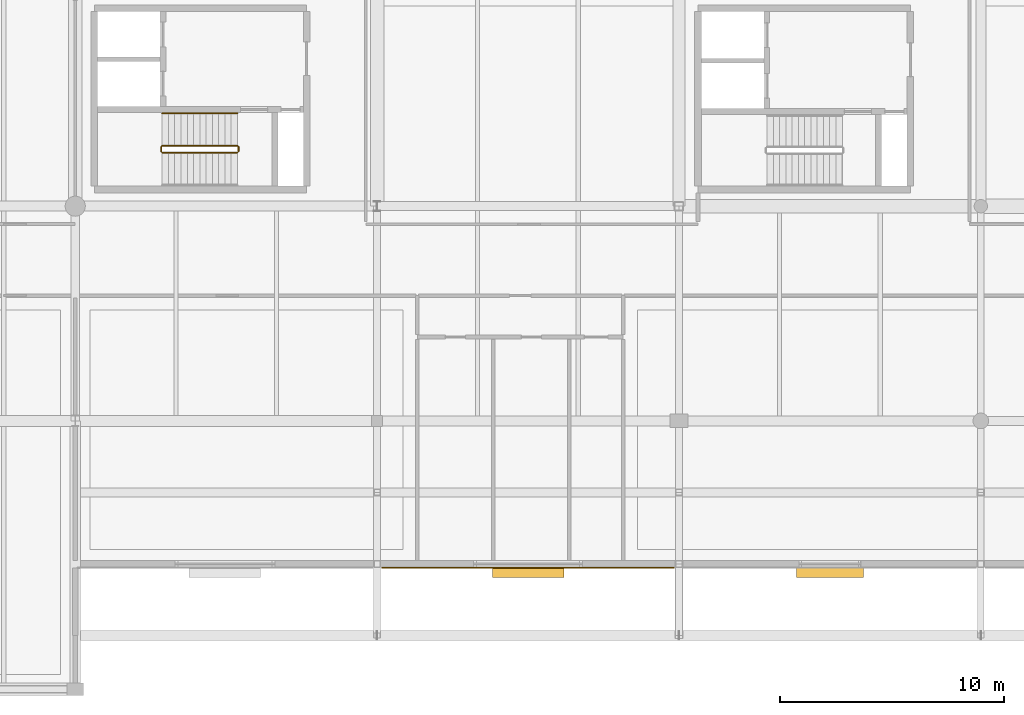
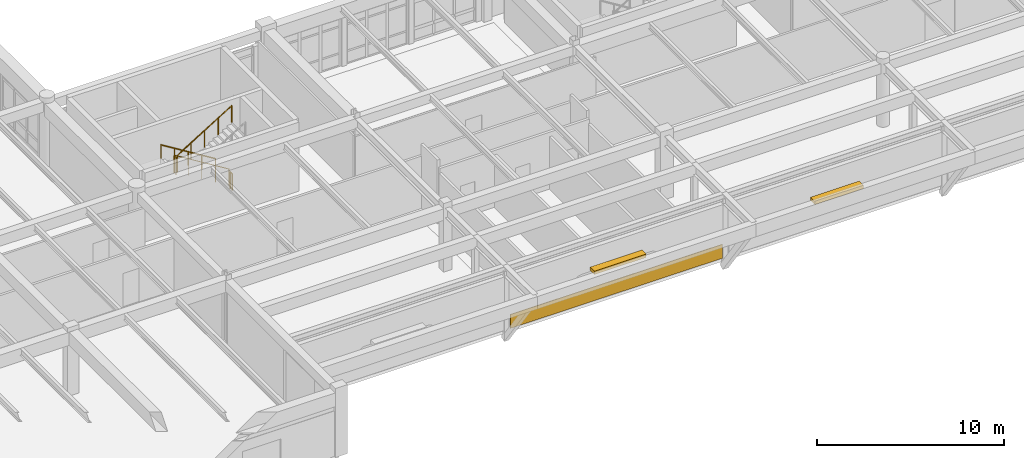
# One storey, part 72 of 80: 5 railings, 2 shading devices, 1 covering.
"""IFC4 building model written with IfcOpenShell, lengths in metres."""

from ifc_helpers import new_model, si_unit, direction, frame, origin, origin_2d, place, context, subcontext, project, spatial, rectangle, circle, extrude, material, layer, layer_set, type_object, element, save


model = new_model("IFC4")

# Units and contexts
model_context = context("Model", 3, precision=1e-05, world=origin(), true_north=direction((0.0, 1.0)))
body_context = subcontext(model_context, "Body", "Model", "MODEL_VIEW")
ifc_project = project(units=[si_unit("LENGTHUNIT", "METRE"), si_unit("AREAUNIT", "SQUARE_METRE"), si_unit("VOLUMEUNIT", "CUBIC_METRE"), si_unit("PLANEANGLEUNIT", "RADIAN"), si_unit("MASSUNIT", "GRAM", prefix="KILO")], contexts=[model_context])

# Site, building, storey
site_placement = place(None, origin())
site = spatial("IfcSite", under=ifc_project, at=site_placement, CompositionType="ELEMENT")
building_placement = place(site_placement, origin())
building = spatial("IfcBuilding", under=site, at=building_placement, Name="Fikremerkos Civic Library", CompositionType="ELEMENT")
storey_placement = place(building_placement, frame((0.0, 0.0, 9.89990234375)))
storey = spatial("IfcBuildingStorey", under=building, at=storey_placement, Name="L02", CompositionType="ELEMENT", Elevation=9.89990234375)

# Shading devices
ifc_material_1 = material(Name="Bronze anodized aluminium", Category="aluminium")
shading_device_type = type_object("IfcShadingDeviceType", Name="Horizontal sun-control louvre bank SHD-01", PredefinedType="JALOUSIE", material=ifc_material_1)
shading_device_1_placement = place(storey_placement, frame((52.949951171875, 5.22998046875, 1.8701171875), z_axis=(0.0, 0.0, 1.0), x_axis=(1.0, 0.0, 0.0)))
element("IfcShadingDevice", 1, at=shading_device_1_placement, inside=storey, type_object=shading_device_type, Name="Sun-control louvre hood SHD-01 L02 #34", PredefinedType="JALOUSIE", context=body_context, shape_type="SweptSolid", body=[
    extrude(rectangle(XDim=3.0, YDim=0.449951171875, at=origin_2d()), origin(), (0.0, 0.0, 1.0), 0.219970703125),
])
shading_device_2_placement = place(storey_placement, frame((39.449951171875, 5.22998046875, 2.0703125), z_axis=(0.0, 0.0, 1.0), x_axis=(1.0, 0.0, 0.0)))
element("IfcShadingDevice", 2, at=shading_device_2_placement, inside=storey, type_object=shading_device_type, Name="Sun-control louvre hood SHD-01 L02 #35", PredefinedType="JALOUSIE", context=body_context, shape_type="SweptSolid", body=[
    extrude(rectangle(XDim=3.199951171875, YDim=0.449951171875, at=origin_2d()), origin(), (0.0, 0.0, 1.0), 0.219970703125),
])

# Railings
ifc_material_2 = material(Name="Painted Steel S275", Category="steel")
railing_type_1 = type_object("IfcRailingType", Name="Interior balustrade guard RLG-INT 1100", PredefinedType="BALUSTRADE", material=ifc_material_2)
railing_1_placement = place(storey_placement, frame((26.449951171875, 24.300048828125, 0.173095703125)))
element("IfcRailing", 3, at=railing_1_placement, inside=storey, type_object=railing_type_1, Name="L02 ST-K1 stair guard 1", PredefinedType="BALUSTRADE", context=body_context, shape_type="SweptSolid", body=[
    extrude(circle(Radius=0.02392578125, at=origin_2d()), frame((0.0, 0.0, 1.076171875), z_axis=(-0.850606129759, 0.0, 0.525803396734), x_axis=(0.0, -1.0, 0.0)), (0.0, 0.0, 1.0), 3.949951171875),
    extrude(circle(Radius=0.02099609375, at=origin_2d()), origin(), (0.0, 0.0, 1.0), 1.052001953125),
    extrude(circle(Radius=0.02099609375, at=origin_2d()), frame((-0.83984375, 0.0, 0.519287109375)), (0.0, 0.0, 1.0), 1.052001953125),
    extrude(circle(Radius=0.02099609375, at=origin_2d()), frame((-1.679931640625, 0.0, 1.03857421875)), (0.0, 0.0, 1.0), 1.052001953125),
    extrude(circle(Radius=0.02099609375, at=origin_2d()), frame((-2.52001953125, 0.0, 1.5576171875)), (0.0, 0.0, 1.0), 1.052001953125),
    extrude(circle(Radius=0.02099609375, at=origin_2d()), frame((-3.35986328125, 0.0, 2.076904296875)), (0.0, 0.0, 1.0), 1.052001953125),
])
railing_2_placement = place(storey_placement, frame((23.0400390625, 24.25, 2.25)))
element("IfcRailing", 4, at=railing_2_placement, inside=storey, type_object=railing_type_1, Name="L02 ST-K1 stair guard 2", PredefinedType="BALUSTRADE", context=body_context, shape_type="SweptSolid", body=[
    extrude(circle(Radius=0.02392578125, at=origin_2d()), frame((0.0, 0.0, 1.076171875), z_axis=(0.0, -1.0, 0.0), x_axis=(1.0, 0.0, 0.0)), (0.0, 0.0, 1.0), 0.199951171875),
    extrude(circle(Radius=0.02099609375, at=origin_2d()), origin(), (0.0, 0.0, 1.0), 1.052001953125),
    extrude(circle(Radius=0.02099609375, at=origin_2d()), frame((0.0, -0.199951171875, 0.0)), (0.0, 0.0, 1.0), 1.052001953125),
])
railing_3_placement = place(storey_placement, frame((23.090087890625, 24.0, 2.423095703125)))
element("IfcRailing", 5, at=railing_3_placement, inside=storey, type_object=railing_type_1, Name="L02 ST-K1 stair guard 3", PredefinedType="BALUSTRADE", context=body_context, shape_type="SweptSolid", body=[
    extrude(circle(Radius=0.02392578125, at=origin_2d()), frame((0.0, 0.0, 1.076171875), z_axis=(0.850606129759, 0.0, 0.525803396734), x_axis=(0.0, 1.0, 0.0)), (0.0, 0.0, 1.0), 3.949951171875),
    extrude(circle(Radius=0.02099609375, at=origin_2d()), origin(), (0.0, 0.0, 1.0), 1.052001953125),
    extrude(circle(Radius=0.02099609375, at=origin_2d()), frame((0.83984375, 0.0, 0.519287109375)), (0.0, 0.0, 1.0), 1.052001953125),
    extrude(circle(Radius=0.02099609375, at=origin_2d()), frame((1.679931640625, 0.0, 1.03857421875)), (0.0, 0.0, 1.0), 1.052001953125),
    extrude(circle(Radius=0.02099609375, at=origin_2d()), frame((2.52001953125, 0.0, 1.5576171875)), (0.0, 0.0, 1.0), 1.052001953125),
    extrude(circle(Radius=0.02099609375, at=origin_2d()), frame((3.35986328125, 0.0, 2.076904296875)), (0.0, 0.0, 1.0), 1.052001953125),
])
railing_4_placement = place(storey_placement, frame((26.5, 24.25, 0.0)))
element("IfcRailing", 6, at=railing_4_placement, inside=storey, type_object=railing_type_1, Name="L02 ST-K1 stair guard 4", PredefinedType="BALUSTRADE", context=body_context, shape_type="SweptSolid", body=[
    extrude(circle(Radius=0.02392578125, at=origin_2d()), frame((0.0, 0.0, 1.076171875), z_axis=(0.0, -1.0, 0.0), x_axis=(1.0, 0.0, 0.0)), (0.0, 0.0, 1.0), 0.199951171875),
    extrude(circle(Radius=0.02099609375, at=origin_2d()), origin(), (0.0, 0.0, 1.0), 1.052001953125),
    extrude(circle(Radius=0.02099609375, at=origin_2d()), frame((0.0, -0.199951171875, 0.0)), (0.0, 0.0, 1.0), 1.052001953125),
])

# Covering
ifc_material_3 = material(Name="Precast concrete C40/50", Category="concrete")
ifc_layer = layer(ifc_material_3, 0.044921875, Name="Precast concrete C40/50")
ifc_layer_set = layer_set([ifc_layer], Name="Precast concrete C40/50")
covering_type = type_object("IfcCoveringType", Name="Precast basalt facade cladding CLD-01", PredefinedType="CLADDING", material=ifc_layer_set)
covering_placement = place(storey_placement, frame((39.449951171875, 5.427978515625, 0.050048828125), z_axis=(0.0, 0.0, 1.0), x_axis=(1.0, 0.0, 0.0)))
element("IfcCovering", 7, at=covering_placement, inside=storey, type_object=covering_type, Name="Basalt spandrel cladding CLD-01 L02 #13", PredefinedType="CLADDING", context=body_context, shape_type="SweptSolid", body=[
    extrude(rectangle(XDim=13.095947265625, YDim=0.044921875, at=origin_2d()), origin(), (0.0, 0.0, 1.0), 0.89990234375),
])

# Railing
ifc_material_4 = material(Name="Brushed stainless steel", Category="steel")
railing_type_2 = type_object("IfcRailingType", Name="Wall and flight handrail HRL-01 900", PredefinedType="HANDRAIL", material=ifc_material_4)
railing_5_placement = place(storey_placement, frame((26.449951171875, 25.75, 0.173095703125)))
element("IfcRailing", 8, at=railing_5_placement, inside=storey, type_object=railing_type_2, Name="L02 ST-K1 stair handrail 1", PredefinedType="HANDRAIL", context=body_context, shape_type="SweptSolid", body=[
    extrude(circle(Radius=0.02392578125, at=origin_2d()), frame((0.0, 0.0, 0.8759765625), z_axis=(-0.850606129759, 0.0, 0.525803396734), x_axis=(0.0, -1.0, 0.0)), (0.0, 0.0, 1.0), 3.949951171875),
    extrude(circle(Radius=0.02099609375, at=origin_2d()), origin(), (0.0, 0.0, 1.0), 0.851806640625),
    extrude(circle(Radius=0.02099609375, at=origin_2d()), frame((-0.83984375, 0.0, 0.519287109375)), (0.0, 0.0, 1.0), 0.851806640625),
    extrude(circle(Radius=0.02099609375, at=origin_2d()), frame((-1.679931640625, 0.0, 1.03857421875)), (0.0, 0.0, 1.0), 0.851806640625),
    extrude(circle(Radius=0.02099609375, at=origin_2d()), frame((-2.52001953125, 0.0, 1.5576171875)), (0.0, 0.0, 1.0), 0.851806640625),
    extrude(circle(Radius=0.02099609375, at=origin_2d()), frame((-3.35986328125, 0.0, 2.076904296875)), (0.0, 0.0, 1.0), 0.851806640625),
])

save(model, "model.ifc")
